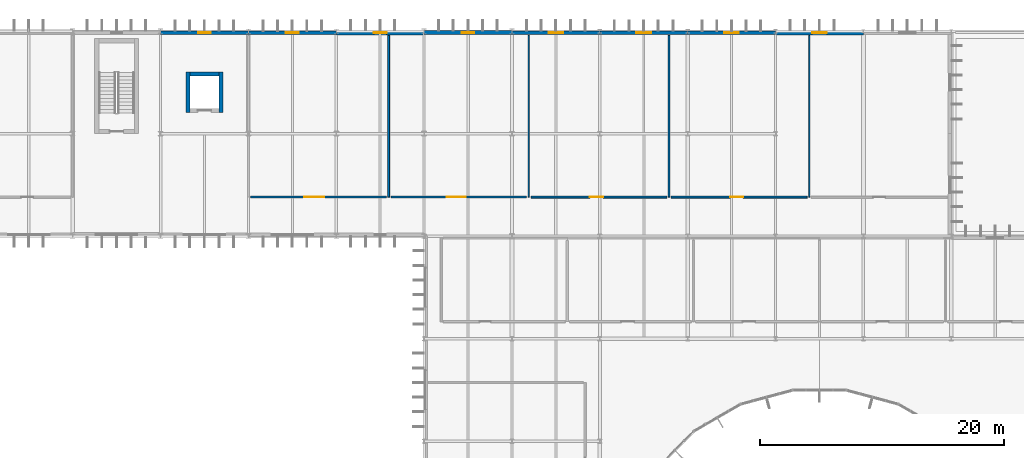
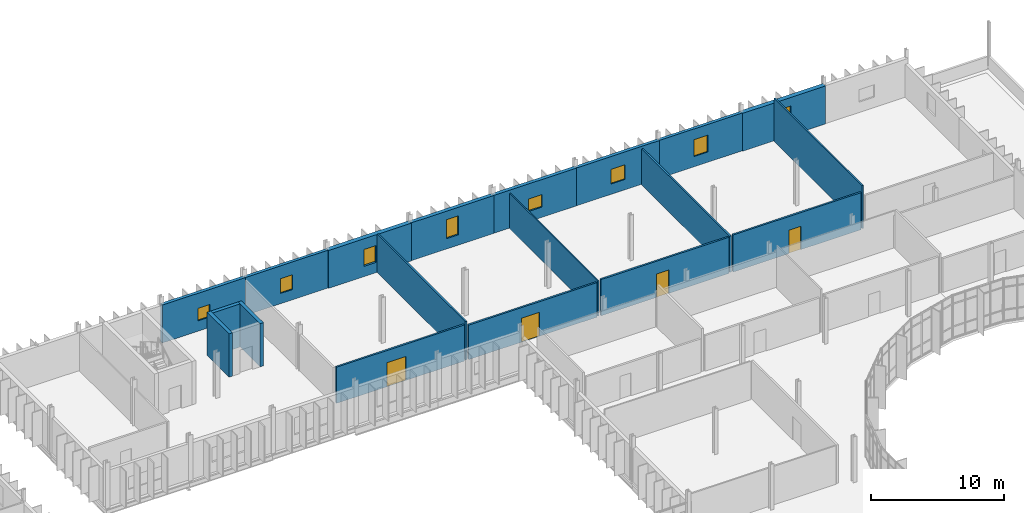
# One storey, part 99 of 119: 19 walls, 8 windows, 4 doors, 12 openings.
"""IFC4 building model written with IfcOpenShell, lengths in metres."""

from ifc_helpers import new_model, si_unit, direction, frame, frame_2d, origin, place, context, subcontext, project, spatial, rectangle, extrude, material, layer, layer_set, type_object, element, fill, save


model = new_model("IFC4")

# Units and contexts
model_context = context("Model", 3, precision=1e-05, world=origin(), true_north=direction((0.0, 1.0)))
body_context = subcontext(model_context, "Body", "Model", "MODEL_VIEW")
ifc_project = project(units=[si_unit("LENGTHUNIT", "METRE"), si_unit("AREAUNIT", "SQUARE_METRE"), si_unit("VOLUMEUNIT", "CUBIC_METRE"), si_unit("PLANEANGLEUNIT", "RADIAN"), si_unit("MASSUNIT", "GRAM", prefix="KILO")], contexts=[model_context])

# Site, building, storey
site_placement = place(None, origin())
site = spatial("IfcSite", under=ifc_project, at=site_placement, CompositionType="ELEMENT")
building_placement = place(site_placement, origin())
building = spatial("IfcBuilding", under=site, at=building_placement, Name="Qelthora Terrace Specialist Clinic", CompositionType="ELEMENT")
storey_placement = place(building_placement, frame((0.0, 0.0, 4.800048828125)))
storey = spatial("IfcBuildingStorey", under=building, at=storey_placement, Name="L01", CompositionType="ELEMENT", Elevation=4.800048828125)

# Walls
ifc_material_1 = material(Name="Concrete C40/50", Category="concrete")
ifc_layer_1 = layer(ifc_material_1, 0.300048828125)
ifc_layer_set_1 = layer_set([ifc_layer_1], Name="Concrete C40/50")
wall_type_1 = type_object("IfcWallType", Name="WAL-CORE-300-C40", PredefinedType="SHEAR", material=ifc_layer_set_1)
for number, where, z_axis, x_axis, name in (
    (1, (74.25, 102.550048828125, 0.0), (0.0, 0.0, 1.0), (0.0, 1.0, 0.0), "Lift PL-04 L01 west shaft wall"),
    (2, (76.949951171875, 102.550048828125, 0.0), (0.0, 0.0, 1.0), (0.0, 1.0, 0.0), "Lift PL-04 L01 east shaft wall"),
):
    element("IfcWall", number, at=place(storey_placement, frame(where, z_axis=z_axis, x_axis=x_axis)), inside=storey, type_object=wall_type_1, Name=name, PredefinedType="SHEAR", context=body_context, shape_type="SweptSolid", body=[
        extrude(rectangle(XDim=3.300048828125, YDim=0.300048828125, at=frame_2d((1.64990234375, 0.0))), origin(), (0.0, 0.0, 1.0), 3.969970703125),
    ])
wall_1_placement = place(storey_placement, frame((74.39990234375, 105.699951171875, 0.0), z_axis=(0.0, 0.0, 1.0), x_axis=(1.0, 0.0, 0.0)))
element("IfcWall", 3, at=wall_1_placement, inside=storey, type_object=wall_type_1, Name="Lift PL-04 L01 north shaft wall", PredefinedType="SHEAR", context=body_context, shape_type="SweptSolid", body=[
    extrude(rectangle(XDim=2.400146484375, YDim=0.300048828125, at=frame_2d((1.2001953125, 0.0))), origin(), (0.0, 0.0, 1.0), 3.969970703125),
])

# Wall, opening, window
ifc_material_2 = material(Name="Precast concrete C40/50", Category="concrete")
ifc_layer_2 = layer(ifc_material_2, 0.260009765625)
ifc_layer_set_2 = layer_set([ifc_layer_2], Name="Precast concrete C40/50")
wall_type_2 = type_object("IfcWallType", Name="WAL-EXT-260-PC40", PredefinedType="SOLIDWALL", material=ifc_layer_set_2)
wall_2_placement = place(storey_placement, frame((79.199951171875, 109.080078125, 0.0), z_axis=(0.0, 0.0, 1.0), x_axis=(1.0, 0.0, 0.0)))
wall_2 = element("IfcWall", 4, at=wall_2_placement, inside=storey, type_object=wall_type_2, Name="L01 external precast wall 159", PredefinedType="SOLIDWALL", context=body_context, shape_type="SweptSolid", body=[
    extrude(rectangle(XDim=7.199951171875, YDim=0.260009765625, at=frame_2d((3.60009765625, 0.0))), origin(), (0.0, 0.0, 1.0), 3.48193359375),
])
opening_1_placement = place(wall_2_placement, frame((3.074951171875, 0.0, 0.949951171875)))
opening_1 = element("IfcOpeningElement", 5, at=opening_1_placement, cuts=wall_2, Name="Opening WN-L01-130", PredefinedType="OPENING", context=body_context, shape_type="SweptSolid", body=[
    extrude(rectangle(XDim=1.050048828125, YDim=1.35009765625, at=frame_2d((0.52490234375, 0.675048828125))), frame((0.0, 0.139892578125, 0.0), z_axis=(0.0, -1.0, 0.0), x_axis=(1.0, 0.0, 0.0)), (0.0, 0.0, 1.0), 0.280029296875),
])
ifc_material_3 = material(Name="Low-E triple-silver insulating glass", Category="glass")
window_type_1 = type_object("IfcWindowType", Name="WIN-1050X1350", PartitioningType="SINGLE_PANEL", PredefinedType="WINDOW", material=ifc_material_3)
window_1_placement = place(opening_1_placement, origin())
window_1 = element("IfcWindow", 6, at=window_1_placement, inside=storey, type_object=window_type_1, Name="Clinical window WN-L01-130", OverallHeight=1.35009765625, OverallWidth=1.050048828125, PartitioningType="SINGLE_PANEL", PredefinedType="WINDOW", context=body_context, shape_type="SweptSolid", body=[
    extrude(rectangle(XDim=1.050048828125, YDim=1.35009765625, at=frame_2d((0.52490234375, 0.675048828125))), frame((0.0, 0.030029296875, 0.0), z_axis=(0.0, -1.0, 0.0), x_axis=(1.0, 0.0, 0.0)), (0.0, 0.0, 1.0), 0.06005859375),
])
fill(opening_1, window_1)

wall_3_placement = place(storey_placement, frame((115.199951171875, 109.080078125, 0.0), z_axis=(0.0, 0.0, 1.0), x_axis=(1.0, 0.0, 0.0)))
wall_3 = element("IfcWall", 7, at=wall_3_placement, inside=storey, type_object=wall_type_2, Name="L01 external precast wall 164", PredefinedType="SOLIDWALL", context=body_context, shape_type="SweptSolid", body=[
    extrude(rectangle(XDim=7.199951171875, YDim=0.260009765625, at=frame_2d((3.60009765625, 0.0))), origin(), (0.0, 0.0, 1.0), 3.48193359375),
])
opening_2_placement = place(wall_3_placement, frame((3.0, 0.0, 0.949951171875)))
opening_2 = element("IfcOpeningElement", 8, at=opening_2_placement, cuts=wall_3, Name="Opening WN-L01-135", PredefinedType="OPENING", context=body_context, shape_type="SweptSolid", body=[
    extrude(rectangle(XDim=1.199951171875, YDim=1.550048828125, at=frame_2d((0.60009765625, 0.77490234375))), frame((0.0, 0.139892578125, 0.0), z_axis=(0.0, -1.0, 0.0), x_axis=(1.0, 0.0, 0.0)), (0.0, 0.0, 1.0), 0.280029296875),
])
window_type_2 = type_object("IfcWindowType", Name="WIN-1200X1550", PartitioningType="SINGLE_PANEL", PredefinedType="WINDOW", material=ifc_material_3)
window_2_placement = place(opening_2_placement, origin())
window_2 = element("IfcWindow", 9, at=window_2_placement, inside=storey, type_object=window_type_2, Name="Clinical window WN-L01-135", OverallHeight=1.550048828125, OverallWidth=1.199951171875, PartitioningType="SINGLE_PANEL", PredefinedType="WINDOW", context=body_context, shape_type="SweptSolid", body=[
    extrude(rectangle(XDim=1.199951171875, YDim=1.550048828125, at=frame_2d((0.60009765625, 0.77490234375))), frame((0.0, 0.030029296875, 0.0), z_axis=(0.0, -1.0, 0.0), x_axis=(1.0, 0.0, 0.0)), (0.0, 0.0, 1.0), 0.06005859375),
])
fill(opening_2, window_2)

ifc_layer_3 = layer(ifc_material_2, 0.280029296875)
ifc_layer_set_3 = layer_set([ifc_layer_3], Name="Precast concrete C40/50")
wall_type_3 = type_object("IfcWallType", Name="WAL-EXT-280-PC40", PredefinedType="SOLIDWALL", material=ifc_layer_set_3)
wall_4_placement = place(storey_placement, frame((72.0, 109.080078125, 0.0), z_axis=(0.0, 0.0, 1.0), x_axis=(1.0, 0.0, 0.0)))
wall_4 = element("IfcWall", 10, at=wall_4_placement, inside=storey, type_object=wall_type_3, Name="L01 external precast wall 158", PredefinedType="SOLIDWALL", context=body_context, shape_type="SweptSolid", body=[
    extrude(rectangle(XDim=7.199951171875, YDim=0.280029296875, at=frame_2d((3.60009765625, 0.0))), origin(), (0.0, 0.0, 1.0), 3.48193359375),
])
opening_3_placement = place(wall_4_placement, frame((3.074951171875, 0.0, 0.949951171875)))
opening_3 = element("IfcOpeningElement", 11, at=opening_3_placement, cuts=wall_4, Name="Opening WN-L01-129", PredefinedType="OPENING", context=body_context, shape_type="SweptSolid", body=[
    extrude(rectangle(XDim=1.050048828125, YDim=1.14990234375, at=frame_2d((0.52490234375, 0.574951171875))), frame((0.0, 0.14990234375, 0.0), z_axis=(0.0, -1.0, 0.0), x_axis=(1.0, 0.0, 0.0)), (0.0, 0.0, 1.0), 0.300048828125),
])
window_type_3 = type_object("IfcWindowType", Name="WIN-1050X1150", PartitioningType="SINGLE_PANEL", PredefinedType="WINDOW", material=ifc_material_3)
window_3_placement = place(opening_3_placement, origin())
window_3 = element("IfcWindow", 12, at=window_3_placement, inside=storey, type_object=window_type_3, Name="Clinical window WN-L01-129", OverallHeight=1.14990234375, OverallWidth=1.050048828125, PartitioningType="SINGLE_PANEL", PredefinedType="WINDOW", context=body_context, shape_type="SweptSolid", body=[
    extrude(rectangle(XDim=1.050048828125, YDim=1.14990234375, at=frame_2d((0.52490234375, 0.574951171875))), frame((0.0, 0.030029296875, 0.0), z_axis=(0.0, -1.0, 0.0), x_axis=(1.0, 0.0, 0.0)), (0.0, 0.0, 1.0), 0.06005859375),
])
fill(opening_3, window_3)

wall_5_placement = place(storey_placement, frame((108.0, 109.080078125, 0.0), z_axis=(0.0, 0.0, 1.0), x_axis=(1.0, 0.0, 0.0)))
wall_5 = element("IfcWall", 13, at=wall_5_placement, inside=storey, type_object=wall_type_3, Name="L01 external precast wall 163", PredefinedType="SOLIDWALL", context=body_context, shape_type="SweptSolid", body=[
    extrude(rectangle(XDim=7.199951171875, YDim=0.280029296875, at=frame_2d((3.60009765625, 0.0))), origin(), (0.0, 0.0, 1.0), 3.48193359375),
])
opening_4_placement = place(wall_5_placement, frame((3.0, 0.0, 0.949951171875)))
opening_4 = element("IfcOpeningElement", 14, at=opening_4_placement, cuts=wall_5, Name="Opening WN-L01-134", PredefinedType="OPENING", context=body_context, shape_type="SweptSolid", body=[
    extrude(rectangle(XDim=1.199951171875, YDim=1.35009765625, at=frame_2d((0.60009765625, 0.675048828125))), frame((0.0, 0.14990234375, 0.0), z_axis=(0.0, -1.0, 0.0), x_axis=(1.0, 0.0, 0.0)), (0.0, 0.0, 1.0), 0.300048828125),
])
window_type_4 = type_object("IfcWindowType", Name="WIN-1200X1350", PartitioningType="SINGLE_PANEL", PredefinedType="WINDOW", material=ifc_material_3)
window_4_placement = place(opening_4_placement, origin())
window_4 = element("IfcWindow", 15, at=window_4_placement, inside=storey, type_object=window_type_4, Name="Clinical window WN-L01-134", OverallHeight=1.35009765625, OverallWidth=1.199951171875, PartitioningType="SINGLE_PANEL", PredefinedType="WINDOW", context=body_context, shape_type="SweptSolid", body=[
    extrude(rectangle(XDim=1.199951171875, YDim=1.35009765625, at=frame_2d((0.60009765625, 0.675048828125))), frame((0.0, 0.030029296875, 0.0), z_axis=(0.0, -1.0, 0.0), x_axis=(1.0, 0.0, 0.0)), (0.0, 0.0, 1.0), 0.06005859375),
])
fill(opening_4, window_4)

ifc_layer_4 = layer(ifc_material_2, 0.300048828125)
ifc_layer_set_4 = layer_set([ifc_layer_4], Name="Precast concrete C40/50")
wall_type_4 = type_object("IfcWallType", Name="WAL-EXT-300-PC40", PredefinedType="SOLIDWALL", material=ifc_layer_set_4)
wall_6_placement = place(storey_placement, frame((100.800048828125, 109.080078125, 0.0), z_axis=(0.0, 0.0, 1.0), x_axis=(1.0, 0.0, 0.0)))
wall_6 = element("IfcWall", 16, at=wall_6_placement, inside=storey, type_object=wall_type_4, Name="L01 external precast wall 162", PredefinedType="SOLIDWALL", context=body_context, shape_type="SweptSolid", body=[
    extrude(rectangle(XDim=7.199951171875, YDim=0.300048828125, at=frame_2d((3.60009765625, 0.0))), origin(), (0.0, 0.0, 1.0), 3.48193359375),
])
opening_5_placement = place(wall_6_placement, frame((3.0, 0.0, 0.949951171875)))
opening_5 = element("IfcOpeningElement", 17, at=opening_5_placement, cuts=wall_6, Name="Opening WN-L01-133", PredefinedType="OPENING", context=body_context, shape_type="SweptSolid", body=[
    extrude(rectangle(XDim=1.199951171875, YDim=1.14990234375, at=frame_2d((0.60009765625, 0.574951171875))), frame((0.0, 0.159912109375, 0.0), z_axis=(0.0, -1.0, 0.0), x_axis=(1.0, 0.0, 0.0)), (0.0, 0.0, 1.0), 0.320068359375),
])
window_type_5 = type_object("IfcWindowType", Name="WIN-1200X1150", PartitioningType="SINGLE_PANEL", PredefinedType="WINDOW", material=ifc_material_3)
window_5_placement = place(opening_5_placement, origin())
window_5 = element("IfcWindow", 18, at=window_5_placement, inside=storey, type_object=window_type_5, Name="Clinical window WN-L01-133", OverallHeight=1.14990234375, OverallWidth=1.199951171875, PartitioningType="SINGLE_PANEL", PredefinedType="WINDOW", context=body_context, shape_type="SweptSolid", body=[
    extrude(rectangle(XDim=1.199951171875, YDim=1.14990234375, at=frame_2d((0.60009765625, 0.574951171875))), frame((0.0, 0.030029296875, 0.0), z_axis=(0.0, -1.0, 0.0), x_axis=(1.0, 0.0, 0.0)), (0.0, 0.0, 1.0), 0.06005859375),
])
fill(opening_5, window_5)

ifc_layer_5 = layer(ifc_material_2, 0.320068359375)
ifc_layer_set_5 = layer_set([ifc_layer_5], Name="Precast concrete C40/50")
wall_type_5 = type_object("IfcWallType", Name="WAL-EXT-320-PC40", PredefinedType="SOLIDWALL", material=ifc_layer_set_5)
wall_7_placement = place(storey_placement, frame((93.60009765625, 109.080078125, 0.0), z_axis=(0.0, 0.0, 1.0), x_axis=(1.0, 0.0, 0.0)))
wall_7 = element("IfcWall", 19, at=wall_7_placement, inside=storey, type_object=wall_type_5, Name="L01 external precast wall 161", PredefinedType="SOLIDWALL", context=body_context, shape_type="SweptSolid", body=[
    extrude(rectangle(XDim=7.199951171875, YDim=0.320068359375, at=frame_2d((3.60009765625, 0.0))), origin(), (0.0, 0.0, 1.0), 3.48193359375),
])
opening_6_placement = place(wall_7_placement, frame((3.074951171875, 0.0, 0.949951171875)))
opening_6 = element("IfcOpeningElement", 20, at=opening_6_placement, cuts=wall_7, Name="Opening WN-L01-132", PredefinedType="OPENING", context=body_context, shape_type="SweptSolid", body=[
    extrude(rectangle(XDim=1.050048828125, YDim=1.75, at=frame_2d((0.52490234375, 0.875))), frame((0.0, 0.169921875, 0.0), z_axis=(0.0, -1.0, 0.0), x_axis=(1.0, 0.0, 0.0)), (0.0, 0.0, 1.0), 0.340087890625),
])
window_type_6 = type_object("IfcWindowType", Name="WIN-1050X1750", PartitioningType="SINGLE_PANEL", PredefinedType="WINDOW", material=ifc_material_3)
window_6_placement = place(opening_6_placement, origin())
window_6 = element("IfcWindow", 21, at=window_6_placement, inside=storey, type_object=window_type_6, Name="Clinical window WN-L01-132", OverallHeight=1.75, OverallWidth=1.050048828125, PartitioningType="SINGLE_PANEL", PredefinedType="WINDOW", context=body_context, shape_type="SweptSolid", body=[
    extrude(rectangle(XDim=1.050048828125, YDim=1.75, at=frame_2d((0.52490234375, 0.875))), frame((0.0, 0.030029296875, 0.0), z_axis=(0.0, -1.0, 0.0), x_axis=(1.0, 0.0, 0.0)), (0.0, 0.0, 1.0), 0.06005859375),
])
fill(opening_6, window_6)

ifc_layer_6 = layer(ifc_material_2, 0.3798828125)
ifc_layer_set_6 = layer_set([ifc_layer_6], Name="Precast concrete C40/50")
wall_type_6 = type_object("IfcWallType", Name="WAL-EXT-380-PC40", PredefinedType="SOLIDWALL", material=ifc_layer_set_6)
wall_8_placement = place(storey_placement, frame((86.39990234375, 109.080078125, 0.0), z_axis=(0.0, 0.0, 1.0), x_axis=(1.0, 0.0, 0.0)))
wall_8 = element("IfcWall", 22, at=wall_8_placement, inside=storey, type_object=wall_type_6, Name="L01 external precast wall 160", PredefinedType="SOLIDWALL", context=body_context, shape_type="SweptSolid", body=[
    extrude(rectangle(XDim=7.2001953125, YDim=0.3798828125, at=frame_2d((3.60009765625, 0.0))), origin(), (0.0, 0.0, 1.0), 3.48193359375),
])
opening_7_placement = place(wall_8_placement, frame((3.074951171875, 0.0, 0.949951171875)))
opening_7 = element("IfcOpeningElement", 23, at=opening_7_placement, cuts=wall_8, Name="Opening WN-L01-131", PredefinedType="OPENING", context=body_context, shape_type="SweptSolid", body=[
    extrude(rectangle(XDim=1.050048828125, YDim=1.550048828125, at=frame_2d((0.52490234375, 0.77490234375))), frame((0.0, 0.199951171875, 0.0), z_axis=(0.0, -1.0, 0.0), x_axis=(1.0, 0.0, 0.0)), (0.0, 0.0, 1.0), 0.39990234375),
])
window_type_7 = type_object("IfcWindowType", Name="WIN-1050X1550", PartitioningType="SINGLE_PANEL", PredefinedType="WINDOW", material=ifc_material_3)
window_7_placement = place(opening_7_placement, origin())
window_7 = element("IfcWindow", 24, at=window_7_placement, inside=storey, type_object=window_type_7, Name="Clinical window WN-L01-131", OverallHeight=1.550048828125, OverallWidth=1.050048828125, PartitioningType="SINGLE_PANEL", PredefinedType="WINDOW", context=body_context, shape_type="SweptSolid", body=[
    extrude(rectangle(XDim=1.050048828125, YDim=1.550048828125, at=frame_2d((0.52490234375, 0.77490234375))), frame((0.0, 0.030029296875, 0.0), z_axis=(0.0, -1.0, 0.0), x_axis=(1.0, 0.0, 0.0)), (0.0, 0.0, 1.0), 0.06005859375),
])
fill(opening_7, window_7)

wall_9_placement = place(storey_placement, frame((122.39990234375, 109.080078125, 0.0), z_axis=(0.0, 0.0, 1.0), x_axis=(1.0, 0.0, 0.0)))
wall_9 = element("IfcWall", 25, at=wall_9_placement, inside=storey, type_object=wall_type_6, Name="L01 external precast wall 165", PredefinedType="SOLIDWALL", context=body_context, shape_type="SweptSolid", body=[
    extrude(rectangle(XDim=7.2001953125, YDim=0.3798828125, at=frame_2d((3.60009765625, 0.0))), origin(), (0.0, 0.0, 1.0), 3.48193359375),
])
opening_8_placement = place(wall_9_placement, frame((3.0, 0.0, 0.949951171875)))
opening_8 = element("IfcOpeningElement", 26, at=opening_8_placement, cuts=wall_9, Name="Opening WN-L01-136", PredefinedType="OPENING", context=body_context, shape_type="SweptSolid", body=[
    extrude(rectangle(XDim=1.199951171875, YDim=1.75, at=frame_2d((0.60009765625, 0.875))), frame((0.0, 0.199951171875, 0.0), z_axis=(0.0, -1.0, 0.0), x_axis=(1.0, 0.0, 0.0)), (0.0, 0.0, 1.0), 0.39990234375),
])
window_type_8 = type_object("IfcWindowType", Name="WIN-1200X1750", PartitioningType="SINGLE_PANEL", PredefinedType="WINDOW", material=ifc_material_3)
window_8_placement = place(opening_8_placement, origin())
window_8 = element("IfcWindow", 27, at=window_8_placement, inside=storey, type_object=window_type_8, Name="Clinical window WN-L01-136", OverallHeight=1.75, OverallWidth=1.199951171875, PartitioningType="SINGLE_PANEL", PredefinedType="WINDOW", context=body_context, shape_type="SweptSolid", body=[
    extrude(rectangle(XDim=1.199951171875, YDim=1.75, at=frame_2d((0.60009765625, 0.875))), frame((0.0, 0.030029296875, 0.0), z_axis=(0.0, -1.0, 0.0), x_axis=(1.0, 0.0, 0.0)), (0.0, 0.0, 1.0), 0.06005859375),
])
fill(opening_8, window_8)

# Wall
ifc_material_4 = material(Name="Gypsum acoustic wallboard", Category="gypsum")
ifc_layer_7 = layer(ifc_material_4, 0.139892578125)
ifc_layer_set_7 = layer_set([ifc_layer_7], Name="Gypsum acoustic wallboard")
wall_type_7 = type_object("IfcWallType", Name="WAL-INT-ACU-140", PredefinedType="PARTITIONING", material=ifc_layer_set_7)
wall_10_placement = place(storey_placement, frame((113.669921875, 108.860107421875, 0.0), z_axis=(0.0, 0.0, 1.0), x_axis=(0.0, -1.0, 0.0)))
element("IfcWall", 28, at=wall_10_placement, inside=storey, type_object=wall_type_7, Name="Interior clinical partition IWAL-L01-0238", PredefinedType="PARTITIONING", context=body_context, shape_type="SweptSolid", body=[
    extrude(rectangle(XDim=13.260009765625, YDim=0.139892578125, at=frame_2d((6.6298828125, 0.0))), origin(), (0.0, 0.0, 1.0), 3.327880859375),
])

# Wall, opening, door
ifc_material_5 = material(Name="Gypsum fire-rated wallboard", Category="gypsum")
ifc_layer_8 = layer(ifc_material_5, 0.159912109375)
ifc_layer_set_8 = layer_set([ifc_layer_8], Name="Gypsum fire-rated wallboard")
wall_type_8 = type_object("IfcWallType", Name="WAL-INT-COR-160", PredefinedType="PARTITIONING", material=ifc_layer_set_8)
wall_11_placement = place(storey_placement, frame((90.510009765625, 95.60009765625, 0.0), z_axis=(0.0, 0.0, 1.0), x_axis=(-1.0, 0.0, 0.0)))
wall_11 = element("IfcWall", 29, at=wall_11_placement, inside=storey, type_object=wall_type_8, Name="Interior clinical partition IWAL-L01-0235", PredefinedType="PARTITIONING", context=body_context, shape_type="SweptSolid", body=[
    extrude(rectangle(XDim=11.130126953125, YDim=0.159912109375, at=frame_2d((5.56494140625, 0.0))), origin(), (0.0, 0.0, 1.0), 3.327880859375),
])
opening_9_placement = place(wall_11_placement, frame((5.10009765625, 0.0, 0.0)))
opening_9 = element("IfcOpeningElement", 30, at=opening_9_placement, cuts=wall_11, Name="Opening DI-L01-0092", PredefinedType="OPENING", context=body_context, shape_type="SweptSolid", body=[
    extrude(rectangle(XDim=1.64990234375, YDim=2.199951171875, at=frame_2d((0.824951171875, 1.10009765625))), frame((0.0, 0.08984375, 0.0), z_axis=(0.0, -1.0, 0.0), x_axis=(1.0, 0.0, 0.0)), (0.0, 0.0, 1.0), 0.179931640625),
])
ifc_material_6 = material(Name="Aluminium anodized bronze", Category="aluminium")
door_type_1 = type_object("IfcDoorType", Name="DOR-GYM-1650X2200", OperationType="NOTDEFINED", PredefinedType="DOOR", material=ifc_material_6)
door_1_placement = place(opening_9_placement, frame((1.64990234375, 0.0, 0.0), z_axis=(0.0, 0.0, 1.0), x_axis=(-1.0, 0.0, 0.0)))
door_1 = element("IfcDoor", 31, at=door_1_placement, inside=storey, type_object=door_type_1, Name="Interior clinical door DI-L01-0092", OperationType="DOUBLE_DOOR_SINGLE_SWING", OverallHeight=2.199951171875, OverallWidth=1.64990234375, PredefinedType="DOOR", context=body_context, shape_type="SweptSolid", body=[
    extrude(rectangle(XDim=1.64990234375, YDim=2.199951171875, at=frame_2d((0.824951171875, 1.10009765625))), frame((0.0, 0.02490234375, 0.0), z_axis=(0.0, -1.0, 0.0), x_axis=(1.0, 0.0, 0.0)), (0.0, 0.0, 1.0), 0.050048828125),
])
fill(opening_9, door_1)

wall_12_placement = place(storey_placement, frame((102.0, 95.60009765625, 0.0), z_axis=(0.0, 0.0, 1.0), x_axis=(-1.0, 0.0, 0.0)))
wall_12 = element("IfcWall", 32, at=wall_12_placement, inside=storey, type_object=wall_type_8, Name="Interior clinical partition IWAL-L01-0237", PredefinedType="PARTITIONING", context=body_context, shape_type="SweptSolid", body=[
    extrude(rectangle(XDim=11.1298828125, YDim=0.159912109375, at=frame_2d((5.56494140625, 0.0))), origin(), (0.0, 0.0, 1.0), 3.175048828125),
])
opening_10_placement = place(wall_12_placement, frame((4.989990234375, 0.0, 0.0)))
opening_10 = element("IfcOpeningElement", 33, at=opening_10_placement, cuts=wall_12, Name="Opening DI-L01-0093", PredefinedType="OPENING", context=body_context, shape_type="SweptSolid", body=[
    extrude(rectangle(XDim=1.550048828125, YDim=2.199951171875, at=frame_2d((0.77490234375, 1.10009765625))), frame((0.0, 0.08984375, 0.0), z_axis=(0.0, -1.0, 0.0), x_axis=(1.0, 0.0, 0.0)), (0.0, 0.0, 1.0), 0.179931640625),
])
door_type_2 = type_object("IfcDoorType", Name="DOR-LIB-1550X2200", OperationType="NOTDEFINED", PredefinedType="DOOR", material=ifc_material_6)
door_2_placement = place(opening_10_placement, frame((1.550048828125, 0.0, 0.0), z_axis=(0.0, 0.0, 1.0), x_axis=(-1.0, 0.0, 0.0)))
door_2 = element("IfcDoor", 34, at=door_2_placement, inside=storey, type_object=door_type_2, Name="Interior clinical door DI-L01-0093", OperationType="DOUBLE_DOOR_SINGLE_SWING", OverallHeight=2.199951171875, OverallWidth=1.550048828125, PredefinedType="DOOR", context=body_context, shape_type="SweptSolid", body=[
    extrude(rectangle(XDim=1.550048828125, YDim=2.199951171875, at=frame_2d((0.77490234375, 1.10009765625))), frame((0.0, 0.02490234375, 0.0), z_axis=(0.0, -1.0, 0.0), x_axis=(1.0, 0.0, 0.0)), (0.0, 0.0, 1.0), 0.050048828125),
])
fill(opening_10, door_2)

wall_13_placement = place(storey_placement, frame((113.489990234375, 95.60009765625, 0.0), z_axis=(0.0, 0.0, 1.0), x_axis=(-1.0, 0.0, 0.0)))
wall_13 = element("IfcWall", 35, at=wall_13_placement, inside=storey, type_object=wall_type_8, Name="Interior clinical partition IWAL-L01-0239", PredefinedType="PARTITIONING", context=body_context, shape_type="SweptSolid", body=[
    extrude(rectangle(XDim=11.1298828125, YDim=0.159912109375, at=frame_2d((5.56494140625, 0.0))), origin(), (0.0, 0.0, 1.0), 3.327880859375),
])
opening_11_placement = place(wall_13_placement, frame((5.22509765625, 0.0, 0.0)))
opening_11 = element("IfcOpeningElement", 36, at=opening_11_placement, cuts=wall_13, Name="Opening DI-L01-0094", PredefinedType="OPENING", context=body_context, shape_type="SweptSolid", body=[
    extrude(rectangle(XDim=1.080078125, YDim=2.14990234375, at=frame_2d((0.5400390625, 1.074951171875))), frame((0.0, 0.08984375, 0.0), z_axis=(0.0, -1.0, 0.0), x_axis=(1.0, 0.0, 0.0)), (0.0, 0.0, 1.0), 0.179931640625),
])
ifc_material_7 = material(Name="Glulam timber GL28h", Category="wood")
door_type_3 = type_object("IfcDoorType", Name="DOR-CON-1080X2150", OperationType="NOTDEFINED", PredefinedType="DOOR", material=ifc_material_7)
door_3_placement = place(opening_11_placement, frame((1.080078125, 0.0, 0.0), z_axis=(0.0, 0.0, 1.0), x_axis=(-1.0, 0.0, 0.0)))
door_3 = element("IfcDoor", 37, at=door_3_placement, inside=storey, type_object=door_type_3, Name="Interior clinical door DI-L01-0094", OperationType="SINGLE_SWING_LEFT", OverallHeight=2.14990234375, OverallWidth=1.080078125, PredefinedType="DOOR", context=body_context, shape_type="SweptSolid", body=[
    extrude(rectangle(XDim=1.080078125, YDim=2.14990234375, at=frame_2d((0.5400390625, 1.074951171875))), frame((0.0, 0.02490234375, 0.0), z_axis=(0.0, -1.0, 0.0), x_axis=(1.0, 0.0, 0.0)), (0.0, 0.0, 1.0), 0.050048828125),
])
fill(opening_11, door_3)

wall_14_placement = place(storey_placement, frame((124.97998046875, 95.60009765625, 0.0), z_axis=(0.0, 0.0, 1.0), x_axis=(-1.0, 0.0, 0.0)))
wall_14 = element("IfcWall", 38, at=wall_14_placement, inside=storey, type_object=wall_type_8, Name="Interior clinical partition IWAL-L01-0241", PredefinedType="PARTITIONING", context=body_context, shape_type="SweptSolid", body=[
    extrude(rectangle(XDim=11.1298828125, YDim=0.159912109375, at=frame_2d((5.56494140625, 0.0))), origin(), (0.0, 0.0, 1.0), 3.407958984375),
])
opening_12_placement = place(wall_14_placement, frame((5.2451171875, 0.0, 0.0)))
opening_12 = element("IfcOpeningElement", 39, at=opening_12_placement, cuts=wall_14, Name="Opening DI-L01-0095", PredefinedType="OPENING", context=body_context, shape_type="SweptSolid", body=[
    extrude(rectangle(XDim=1.0400390625, YDim=2.14990234375, at=frame_2d((0.52001953125, 1.074951171875))), frame((0.0, 0.08984375, 0.0), z_axis=(0.0, -1.0, 0.0), x_axis=(1.0, 0.0, 0.0)), (0.0, 0.0, 1.0), 0.179931640625),
])
door_type_4 = type_object("IfcDoorType", Name="DOR-CON-1040X2150", OperationType="NOTDEFINED", PredefinedType="DOOR", material=ifc_material_7)
door_4_placement = place(opening_12_placement, frame((1.0400390625, 0.0, 0.0), z_axis=(0.0, 0.0, 1.0), x_axis=(-1.0, 0.0, 0.0)))
door_4 = element("IfcDoor", 40, at=door_4_placement, inside=storey, type_object=door_type_4, Name="Interior clinical door DI-L01-0095", OperationType="SINGLE_SWING_RIGHT", OverallHeight=2.14990234375, OverallWidth=1.0400390625, PredefinedType="DOOR", context=body_context, shape_type="SweptSolid", body=[
    extrude(rectangle(XDim=1.0400390625, YDim=2.14990234375, at=frame_2d((0.52001953125, 1.074951171875))), frame((0.0, 0.02490234375, 0.0), z_axis=(0.0, -1.0, 0.0), x_axis=(1.0, 0.0, 0.0)), (0.0, 0.0, 1.0), 0.050048828125),
])
fill(opening_12, door_4)

# Walls
ifc_layer_9 = layer(ifc_material_4, 0.10009765625)
ifc_layer_set_9 = layer_set([ifc_layer_9], Name="Gypsum acoustic wallboard")
wall_type_9 = type_object("IfcWallType", Name="WAL-INT-LGT-100", PredefinedType="PARTITIONING", material=ifc_layer_set_9)
wall_15_placement = place(storey_placement, frame((102.179931640625, 108.860107421875, 0.0), z_axis=(0.0, 0.0, 1.0), x_axis=(0.0, -1.0, 0.0)))
element("IfcWall", 41, at=wall_15_placement, inside=storey, type_object=wall_type_9, Name="Interior clinical partition IWAL-L01-0236", PredefinedType="PARTITIONING", context=body_context, shape_type="SweptSolid", body=[
    extrude(rectangle(XDim=13.260009765625, YDim=0.10009765625, at=frame_2d((6.6298828125, 0.0))), origin(), (0.0, 0.0, 1.0), 3.2568359375),
])
ifc_layer_10 = layer(ifc_material_4, 0.1201171875)
ifc_layer_set_10 = layer_set([ifc_layer_10], Name="Gypsum acoustic wallboard")
wall_type_10 = type_object("IfcWallType", Name="WAL-INT-STD-120", PredefinedType="PARTITIONING", material=ifc_layer_set_10)
wall_16_placement = place(storey_placement, frame((125.159912109375, 108.860107421875, 0.0), z_axis=(0.0, 0.0, 1.0), x_axis=(0.0, -1.0, 0.0)))
element("IfcWall", 42, at=wall_16_placement, inside=storey, type_object=wall_type_10, Name="Interior clinical partition IWAL-L01-0240", PredefinedType="PARTITIONING", context=body_context, shape_type="SweptSolid", body=[
    extrude(rectangle(XDim=13.260009765625, YDim=0.1201171875, at=frame_2d((6.6298828125, 0.0))), origin(), (0.0, 0.0, 1.0), 3.945068359375),
])
ifc_material_8 = material(Name="Gypsum moisture-resistant", Category="gypsum")
ifc_layer_11 = layer(ifc_material_8, 0.14990234375)
ifc_layer_set_11 = layer_set([ifc_layer_11], Name="Gypsum moisture-resistant")
wall_type_11 = type_object("IfcWallType", Name="WAL-INT-WET-150", PredefinedType="PLUMBINGWALL", material=ifc_layer_set_11)
wall_17_placement = place(storey_placement, frame((90.68994140625, 108.860107421875, 0.0), z_axis=(0.0, 0.0, 1.0), x_axis=(0.0, -1.0, 0.0)))
element("IfcWall", 43, at=wall_17_placement, inside=storey, type_object=wall_type_11, Name="Interior clinical partition IWAL-L01-0234", PredefinedType="PLUMBINGWALL", context=body_context, shape_type="SweptSolid", body=[
    extrude(rectangle(XDim=13.260009765625, YDim=0.14990234375, at=frame_2d((6.6298828125, 0.0))), origin(), (0.0, 0.0, 1.0), 3.534912109375),
])

save(model, "model.ifc")
